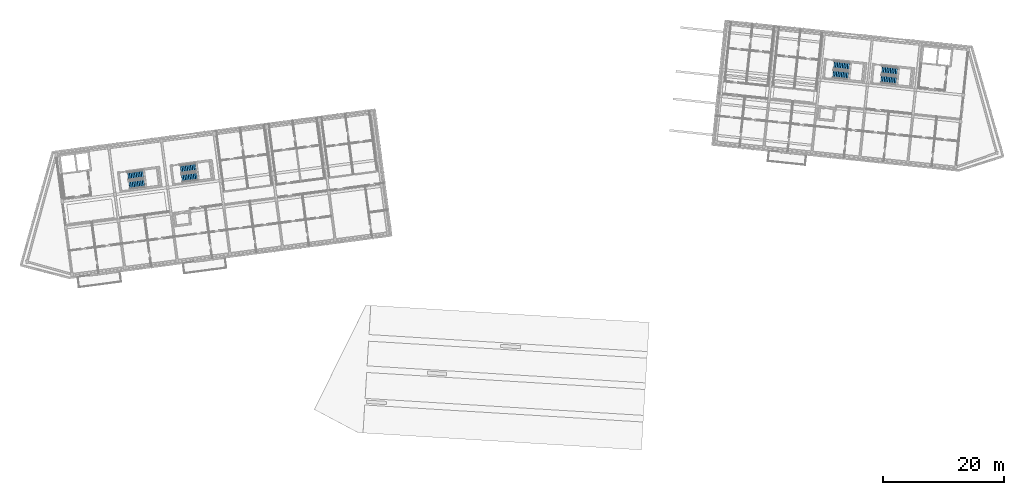
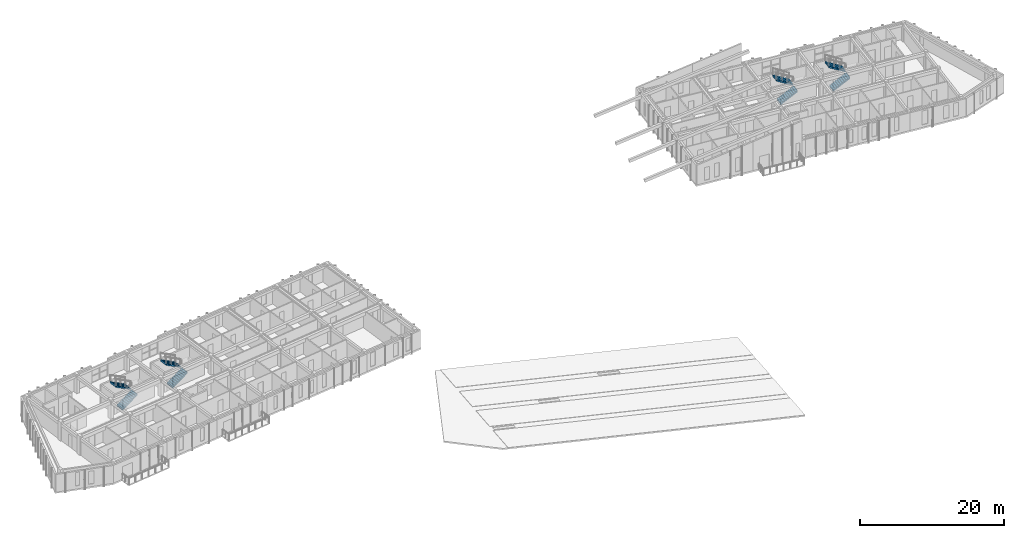
# One storey, part 20 of 34: 8 stair flights, 4 elements without a shape of their own.
"""IFC4 building model written with IfcOpenShell, lengths in metres."""

from ifc_helpers import new_model, si_unit, direction, frame, origin, place, context, subcontext, project, spatial, polyline, outline, extrude, material, type_object, element, aggregate, save


model = new_model("IFC4")

# Units and contexts
model_context = context("Model", 3, precision=1e-05, world=origin(), true_north=direction((0.0, 1.0)))
body_context = subcontext(model_context, "Body", "Model", "MODEL_VIEW")
ifc_project = project(units=[si_unit("LENGTHUNIT", "METRE"), si_unit("AREAUNIT", "SQUARE_METRE"), si_unit("VOLUMEUNIT", "CUBIC_METRE"), si_unit("PLANEANGLEUNIT", "RADIAN"), si_unit("MASSUNIT", "GRAM", prefix="KILO")], contexts=[model_context])

# Site, building, storey
site_placement = place(None, origin())
site = spatial("IfcSite", under=ifc_project, at=site_placement, CompositionType="ELEMENT")
building_placement = place(site_placement, origin())
building = spatial("IfcBuilding", under=site, at=building_placement, Name="Kestramere Prow Commons", CompositionType="ELEMENT")
storey_placement = place(building_placement, frame((0.0, 0.0, 34.39990234375)))
storey = spatial("IfcBuildingStorey", under=building, at=storey_placement, Name="L10", CompositionType="ELEMENT", Elevation=34.39990234375)

# Stair, stair flights
ifc_material = material(Name="Concrete C40/50", Category="concrete")
stair_type = type_object("IfcStairType", Name="ST-DOG-1350", PredefinedType="HALF_TURN_STAIR", material=ifc_material)
stair_1_placement = place(storey_placement, origin())
stair_1 = element("IfcStair", 1, at=stair_1_placement, inside=storey, type_object=stair_type, Name="L10 Block A Exit Stair 1", PredefinedType="HALF_TURN_STAIR")
stair_flight_type = type_object("IfcStairFlightType", Name="SFL-1350", PredefinedType="STRAIGHT", material=ifc_material)
stair_flight_1_placement = place(storey_placement, frame((20.70068359375, 86.79150390625, 0.0), z_axis=(0.0, 0.0, 1.0), x_axis=(0.991444861374, 0.13052619222, 0.0)))
stair_flight_1 = element("IfcStairFlight", 2, at=stair_flight_1_placement, type_object=stair_flight_type, Name="ST-A1 flight 1", NumberOfRisers=10, NumberOfTreads=9, PredefinedType="STRAIGHT", RiserHeight=0.1625, TreadLength=0.28, context=body_context, shape_type="SweptSolid", body=[
    extrude(outline(polyline([(-0.02490234375, 0.0), (0.0, 0.0), (0.0, 0.16259765625), (0.280029296875, 0.16259765625), (0.280029296875, 0.324951171875), (0.56005859375, 0.324951171875), (0.56005859375, 0.487548828125), (0.840087890625, 0.487548828125), (0.840087890625, 0.64990234375), (1.1201171875, 0.64990234375), (1.1201171875, 0.8125), (1.39990234375, 0.8125), (1.39990234375, 0.97509765625), (1.679931640625, 0.97509765625), (1.679931640625, 1.137451171875), (1.9599609375, 1.137451171875), (1.9599609375, 1.300048828125), (2.239990234375, 1.300048828125), (2.239990234375, 1.46240234375), (2.52001953125, 1.46240234375), (2.52001953125, 1.625), (2.544921875, 1.625), (2.544921875, 1.2890625), (0.0, -0.14990234375), (-0.02490234375, -0.14990234375), (-0.02490234375, 0.0)])), frame((0.0, 0.675048828125, 0.0), z_axis=(0.0, -1.0, 0.0), x_axis=(1.0, 0.0, 0.0)), (0.0, 0.0, 1.0), 1.35009765625),
])
stair_flight_2_placement = place(storey_placement, frame((23.003173828125, 88.607666015625, 1.625), z_axis=(0.0, 0.0, 1.0), x_axis=(-0.991444861374, -0.13052619222, 0.0)))
stair_flight_2 = element("IfcStairFlight", 3, at=stair_flight_2_placement, type_object=stair_flight_type, Name="ST-A1 flight 2", NumberOfRisers=10, NumberOfTreads=9, PredefinedType="STRAIGHT", RiserHeight=0.1625, TreadLength=0.28, context=body_context, shape_type="SweptSolid", body=[
    extrude(outline(polyline([(-0.02490234375, 0.0), (0.0, 0.0), (0.0, 0.16259765625), (0.280029296875, 0.16259765625), (0.280029296875, 0.324951171875), (0.56005859375, 0.324951171875), (0.56005859375, 0.487548828125), (0.840087890625, 0.487548828125), (0.840087890625, 0.64990234375), (1.1201171875, 0.64990234375), (1.1201171875, 0.8125), (1.39990234375, 0.8125), (1.39990234375, 0.97509765625), (1.679931640625, 0.97509765625), (1.679931640625, 1.137451171875), (1.9599609375, 1.137451171875), (1.9599609375, 1.300048828125), (2.239990234375, 1.300048828125), (2.239990234375, 1.46240234375), (2.52001953125, 1.46240234375), (2.52001953125, 1.625), (2.544921875, 1.625), (2.544921875, 1.2890625), (0.0, -0.14990234375), (-0.02490234375, -0.14990234375), (-0.02490234375, 0.0)])), frame((0.0, 0.675048828125, 0.0), z_axis=(0.0, -1.0, 0.0), x_axis=(1.0, 0.0, 0.0)), (0.0, 0.0, 1.0), 1.35009765625),
])
aggregate(stair_1, [stair_flight_1, stair_flight_2])

stair_2_placement = place(storey_placement, origin())
stair_2 = element("IfcStair", 4, at=stair_2_placement, inside=storey, type_object=stair_type, Name="L10 Block A Exit Stair 2", PredefinedType="HALF_TURN_STAIR")
stair_flight_3_placement = place(storey_placement, frame((29.42529296875, 87.940185546875, 0.0), z_axis=(0.0, 0.0, 1.0), x_axis=(0.991444861374, 0.13052619222, 0.0)))
stair_flight_3 = element("IfcStairFlight", 5, at=stair_flight_3_placement, type_object=stair_flight_type, Name="ST-A2 flight 1", NumberOfRisers=10, NumberOfTreads=9, PredefinedType="STRAIGHT", RiserHeight=0.1625, TreadLength=0.28, context=body_context, shape_type="SweptSolid", body=[
    extrude(outline(polyline([(-0.02490234375, 0.0), (0.0, 0.0), (0.0, 0.16259765625), (0.280029296875, 0.16259765625), (0.280029296875, 0.324951171875), (0.56005859375, 0.324951171875), (0.56005859375, 0.487548828125), (0.840087890625, 0.487548828125), (0.840087890625, 0.64990234375), (1.1201171875, 0.64990234375), (1.1201171875, 0.8125), (1.39990234375, 0.8125), (1.39990234375, 0.97509765625), (1.679931640625, 0.97509765625), (1.679931640625, 1.137451171875), (1.9599609375, 1.137451171875), (1.9599609375, 1.300048828125), (2.239990234375, 1.300048828125), (2.239990234375, 1.46240234375), (2.52001953125, 1.46240234375), (2.52001953125, 1.625), (2.544921875, 1.625), (2.544921875, 1.2890625), (0.0, -0.14990234375), (-0.02490234375, -0.14990234375), (-0.02490234375, 0.0)])), frame((0.0, 0.675048828125, 0.0), z_axis=(0.0, -1.0, 0.0), x_axis=(1.0, 0.0, 0.0)), (0.0, 0.0, 1.0), 1.35009765625),
])
stair_flight_4_placement = place(storey_placement, frame((31.72802734375, 89.75634765625, 1.625), z_axis=(0.0, 0.0, 1.0), x_axis=(-0.991444861374, -0.13052619222, 0.0)))
stair_flight_4 = element("IfcStairFlight", 6, at=stair_flight_4_placement, type_object=stair_flight_type, Name="ST-A2 flight 2", NumberOfRisers=10, NumberOfTreads=9, PredefinedType="STRAIGHT", RiserHeight=0.1625, TreadLength=0.28, context=body_context, shape_type="SweptSolid", body=[
    extrude(outline(polyline([(-0.02490234375, 0.0), (0.0, 0.0), (0.0, 0.16259765625), (0.280029296875, 0.16259765625), (0.280029296875, 0.324951171875), (0.56005859375, 0.324951171875), (0.56005859375, 0.487548828125), (0.840087890625, 0.487548828125), (0.840087890625, 0.64990234375), (1.1201171875, 0.64990234375), (1.1201171875, 0.8125), (1.39990234375, 0.8125), (1.39990234375, 0.97509765625), (1.679931640625, 0.97509765625), (1.679931640625, 1.137451171875), (1.9599609375, 1.137451171875), (1.9599609375, 1.300048828125), (2.239990234375, 1.300048828125), (2.239990234375, 1.46240234375), (2.52001953125, 1.46240234375), (2.52001953125, 1.625), (2.544921875, 1.625), (2.544921875, 1.2890625), (0.0, -0.14990234375), (-0.02490234375, -0.14990234375), (-0.02490234375, 0.0)])), frame((0.0, 0.675048828125, 0.0), z_axis=(0.0, -1.0, 0.0), x_axis=(1.0, 0.0, 0.0)), (0.0, 0.0, 1.0), 1.35009765625),
])
aggregate(stair_2, [stair_flight_3, stair_flight_4])

stair_3_placement = place(storey_placement, origin())
stair_3 = element("IfcStair", 7, at=stair_3_placement, inside=storey, type_object=stair_type, Name="L10 Block B Exit Stair 1", PredefinedType="HALF_TURN_STAIR")
stair_flight_5_placement = place(storey_placement, frame((137.38916015625, 105.21923828125, 0.0), z_axis=(0.0, 0.0, 1.0), x_axis=(0.994521895368, -0.104528463268, 0.0)))
stair_flight_5 = element("IfcStairFlight", 8, at=stair_flight_5_placement, type_object=stair_flight_type, Name="ST-B1 flight 1", NumberOfRisers=10, NumberOfTreads=9, PredefinedType="STRAIGHT", RiserHeight=0.1625, TreadLength=0.28, context=body_context, shape_type="SweptSolid", body=[
    extrude(outline(polyline([(-0.02490234375, 0.0), (0.0, 0.0), (0.0, 0.16259765625), (0.280029296875, 0.16259765625), (0.280029296875, 0.324951171875), (0.56005859375, 0.324951171875), (0.56005859375, 0.487548828125), (0.840087890625, 0.487548828125), (0.840087890625, 0.64990234375), (1.1201171875, 0.64990234375), (1.1201171875, 0.8125), (1.39990234375, 0.8125), (1.39990234375, 0.97509765625), (1.679931640625, 0.97509765625), (1.679931640625, 1.137451171875), (1.9599609375, 1.137451171875), (1.9599609375, 1.300048828125), (2.239990234375, 1.300048828125), (2.239990234375, 1.46240234375), (2.52001953125, 1.46240234375), (2.52001953125, 1.625), (2.544921875, 1.625), (2.544921875, 1.2890625), (0.0, -0.14990234375), (-0.02490234375, -0.14990234375), (-0.02490234375, 0.0)])), frame((0.0, 0.675048828125, 0.0), z_axis=(0.0, -1.0, 0.0), x_axis=(1.0, 0.0, 0.0)), (0.0, 0.0, 1.0), 1.35009765625),
])
stair_flight_6_placement = place(storey_placement, frame((140.052001953125, 106.447509765625, 1.625), z_axis=(0.0, 0.0, 1.0), x_axis=(-0.994521895368, 0.104528463268, 0.0)))
stair_flight_6 = element("IfcStairFlight", 9, at=stair_flight_6_placement, type_object=stair_flight_type, Name="ST-B1 flight 2", NumberOfRisers=10, NumberOfTreads=9, PredefinedType="STRAIGHT", RiserHeight=0.1625, TreadLength=0.28, context=body_context, shape_type="SweptSolid", body=[
    extrude(outline(polyline([(-0.02490234375, 0.0), (0.0, 0.0), (0.0, 0.16259765625), (0.280029296875, 0.16259765625), (0.280029296875, 0.324951171875), (0.56005859375, 0.324951171875), (0.56005859375, 0.487548828125), (0.840087890625, 0.487548828125), (0.840087890625, 0.64990234375), (1.1201171875, 0.64990234375), (1.1201171875, 0.8125), (1.39990234375, 0.8125), (1.39990234375, 0.97509765625), (1.679931640625, 0.97509765625), (1.679931640625, 1.137451171875), (1.9599609375, 1.137451171875), (1.9599609375, 1.300048828125), (2.239990234375, 1.300048828125), (2.239990234375, 1.46240234375), (2.52001953125, 1.46240234375), (2.52001953125, 1.625), (2.544921875, 1.625), (2.544921875, 1.2890625), (0.0, -0.14990234375), (-0.02490234375, -0.14990234375), (-0.02490234375, 0.0)])), frame((0.0, 0.675048828125, 0.0), z_axis=(0.0, -1.0, 0.0), x_axis=(1.0, 0.0, 0.0)), (0.0, 0.0, 1.0), 1.35009765625),
])
aggregate(stair_3, [stair_flight_5, stair_flight_6])

stair_4_placement = place(storey_placement, origin())
stair_4 = element("IfcStair", 10, at=stair_4_placement, inside=storey, type_object=stair_type, Name="L10 Block B Exit Stair 2", PredefinedType="HALF_TURN_STAIR")
stair_flight_7_placement = place(storey_placement, frame((145.34521484375, 104.3828125, 0.0), z_axis=(0.0, 0.0, 1.0), x_axis=(0.994521895368, -0.104528463268, 0.0)))
stair_flight_7 = element("IfcStairFlight", 11, at=stair_flight_7_placement, type_object=stair_flight_type, Name="ST-B2 flight 1", NumberOfRisers=10, NumberOfTreads=9, PredefinedType="STRAIGHT", RiserHeight=0.1625, TreadLength=0.28, context=body_context, shape_type="SweptSolid", body=[
    extrude(outline(polyline([(-0.02490234375, 0.0), (0.0, 0.0), (0.0, 0.16259765625), (0.280029296875, 0.16259765625), (0.280029296875, 0.324951171875), (0.56005859375, 0.324951171875), (0.56005859375, 0.487548828125), (0.840087890625, 0.487548828125), (0.840087890625, 0.64990234375), (1.1201171875, 0.64990234375), (1.1201171875, 0.8125), (1.39990234375, 0.8125), (1.39990234375, 0.97509765625), (1.679931640625, 0.97509765625), (1.679931640625, 1.137451171875), (1.9599609375, 1.137451171875), (1.9599609375, 1.300048828125), (2.239990234375, 1.300048828125), (2.239990234375, 1.46240234375), (2.52001953125, 1.46240234375), (2.52001953125, 1.625), (2.544921875, 1.625), (2.544921875, 1.2890625), (0.0, -0.14990234375), (-0.02490234375, -0.14990234375), (-0.02490234375, 0.0)])), frame((0.0, 0.675048828125, 0.0), z_axis=(0.0, -1.0, 0.0), x_axis=(1.0, 0.0, 0.0)), (0.0, 0.0, 1.0), 1.35009765625),
])
stair_flight_8_placement = place(storey_placement, frame((148.00830078125, 105.611328125, 1.625), z_axis=(0.0, 0.0, 1.0), x_axis=(-0.994521895368, 0.104528463268, 0.0)))
stair_flight_8 = element("IfcStairFlight", 12, at=stair_flight_8_placement, type_object=stair_flight_type, Name="ST-B2 flight 2", NumberOfRisers=10, NumberOfTreads=9, PredefinedType="STRAIGHT", RiserHeight=0.1625, TreadLength=0.28, context=body_context, shape_type="SweptSolid", body=[
    extrude(outline(polyline([(-0.02490234375, 0.0), (0.0, 0.0), (0.0, 0.16259765625), (0.280029296875, 0.16259765625), (0.280029296875, 0.324951171875), (0.56005859375, 0.324951171875), (0.56005859375, 0.487548828125), (0.840087890625, 0.487548828125), (0.840087890625, 0.64990234375), (1.1201171875, 0.64990234375), (1.1201171875, 0.8125), (1.39990234375, 0.8125), (1.39990234375, 0.97509765625), (1.679931640625, 0.97509765625), (1.679931640625, 1.137451171875), (1.9599609375, 1.137451171875), (1.9599609375, 1.300048828125), (2.239990234375, 1.300048828125), (2.239990234375, 1.46240234375), (2.52001953125, 1.46240234375), (2.52001953125, 1.625), (2.544921875, 1.625), (2.544921875, 1.2890625), (0.0, -0.14990234375), (-0.02490234375, -0.14990234375), (-0.02490234375, 0.0)])), frame((0.0, 0.675048828125, 0.0), z_axis=(0.0, -1.0, 0.0), x_axis=(1.0, 0.0, 0.0)), (0.0, 0.0, 1.0), 1.35009765625),
])
aggregate(stair_4, [stair_flight_7, stair_flight_8])

save(model, "model.ifc")
